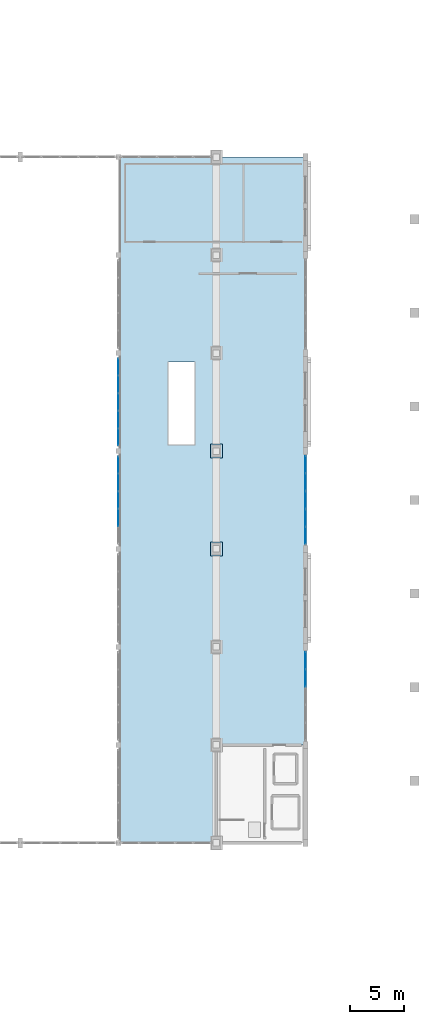
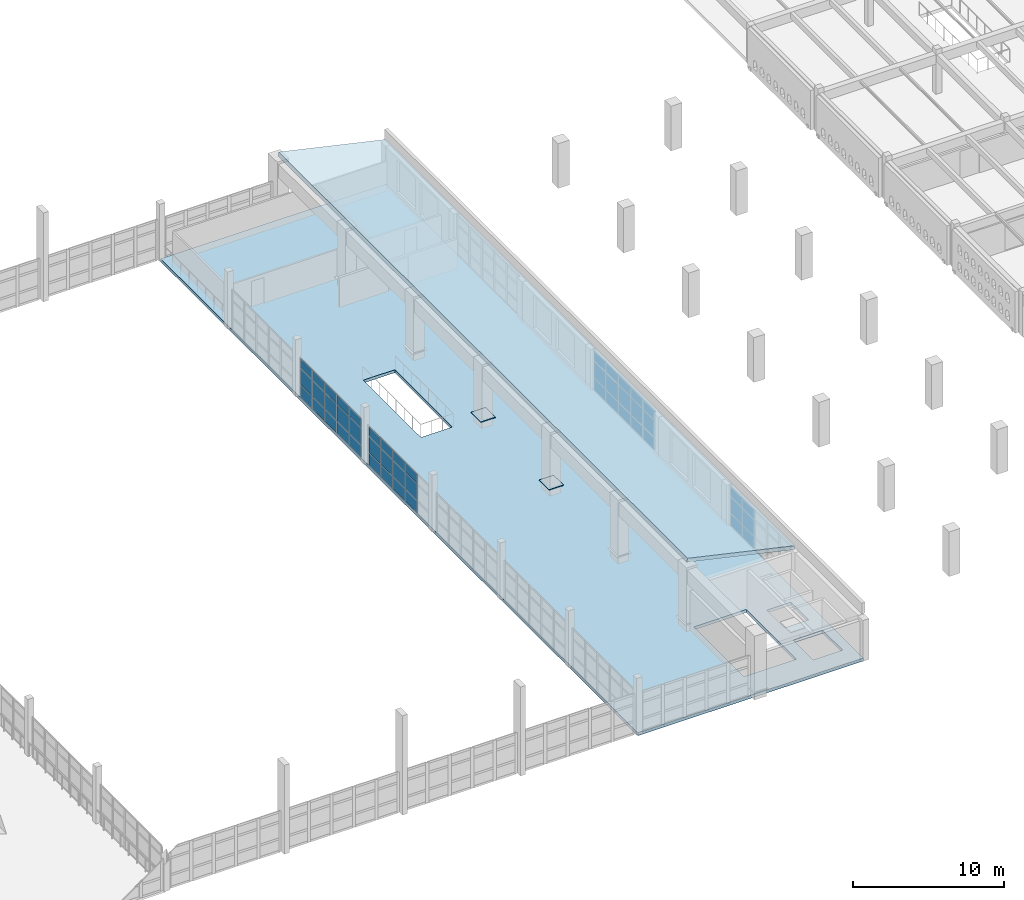
# One storey, part 59 of 80: 50 plates, 2 slabs, 4 elements without a shape of their own.
"""IFC4 building model written with IfcOpenShell, lengths in metres."""

from ifc_helpers import new_model, si_unit, direction, frame, origin, origin_2d, place, context, subcontext, project, spatial, polyline, rectangle, outline, extrude, material, layer, layer_set, type_object, element, aggregate, save


model = new_model("IFC4")

# Units and contexts
model_context = context("Model", 3, precision=1e-05, world=origin(), true_north=direction((0.0, 1.0)))
body_context = subcontext(model_context, "Body", "Model", "MODEL_VIEW")
ifc_project = project(units=[si_unit("LENGTHUNIT", "METRE"), si_unit("AREAUNIT", "SQUARE_METRE"), si_unit("VOLUMEUNIT", "CUBIC_METRE"), si_unit("PLANEANGLEUNIT", "RADIAN"), si_unit("MASSUNIT", "GRAM", prefix="KILO")], contexts=[model_context])

# Site, building, storey
site_placement = place(None, origin())
site = spatial("IfcSite", under=ifc_project, at=site_placement, CompositionType="ELEMENT")
building_placement = place(site_placement, origin())
building = spatial("IfcBuilding", under=site, at=building_placement, Name="Ornek Quay Market", CompositionType="ELEMENT")
storey_placement = place(building_placement, frame((0.0, 0.0, 8.39990234375)))
storey = spatial("IfcBuildingStorey", under=building, at=storey_placement, Name="L02", CompositionType="ELEMENT", Elevation=8.39990234375)

# Plates
ifc_material_1 = material(Name="Steel S355", Category="steel")
ifc_layer_1 = layer(ifc_material_1, 1.300048828125, Name="Steel S355", Category="steel")
ifc_layer_set_1 = layer_set([ifc_layer_1], Name="Steel S355")
plate_type_1 = type_object("IfcPlateType", Name="PL-ARCH-SHOE-1100x1300x50", PredefinedType="SHEET", material=ifc_layer_set_1)
for number, where, z_axis, x_axis, name in (
    (1, (117.0, 56.0, 0.60009765625), (0.0, 0.0, 1.0), (1.0, 0.0, 0.0), "Arch bearing plate Grid G-E"),
    (2, (117.0, 65.0, 0.60009765625), (0.0, 0.0, 1.0), (1.0, 0.0, 0.0), "Arch bearing plate Grid H-E"),
):
    element("IfcPlate", number, at=place(storey_placement, frame(where, z_axis=z_axis, x_axis=x_axis)), inside=storey, type_object=plate_type_1, Name=name, PredefinedType="SHEET", context=body_context, shape_type="SweptSolid", body=[
        extrude(rectangle(XDim=1.10009765625, YDim=1.300048828125, at=origin_2d()), origin(), (0.0, 0.0, 1.0), 0.050048828125),
    ])

# Curtain wall, plates
ifc_material_2 = material(Name="Anodised bronze aluminium and triple low-e glass", Category="aluminium")
ifc_layer_2 = layer(ifc_material_2, 0.139892578125, Name="Anodised bronze aluminium and triple low-e glass", Category="aluminium")
ifc_layer_set_2 = layer_set([ifc_layer_2], Name="Anodised bronze aluminium and triple low-e glass")
curtain_wall_type_1 = type_object("IfcCurtainWallType", Name="CW-GALLERY-INT", PredefinedType="USERDEFINED", material=ifc_layer_set_2)
curtain_wall_1_placement = place(storey_placement, origin())
curtain_wall_1 = element("IfcCurtainWall", 3, at=curtain_wall_1_placement, inside=storey, type_object=curtain_wall_type_1, Name="Curtain wall CW-118", ObjectType="CURTAIN WALL", PredefinedType="USERDEFINED")
ifc_material_3 = material(Name="Toughened laminated acoustic glass", Category="glass")
ifc_layer_3 = layer(ifc_material_3, 0.01611328125, Name="Toughened laminated acoustic glass", Category="glass")
ifc_layer_set_3 = layer_set([ifc_layer_3], Name="Toughened laminated acoustic glass")
plate_type_2 = type_object("IfcPlateType", Name="PL-CW-INT-16", PredefinedType="CURTAIN_PANEL", material=ifc_layer_set_3)
plate_1_placement = place(storey_placement, frame((108.0, 58.8798828125, 0.06005859375), z_axis=(0.0, 0.0, 1.0), x_axis=(0.0, 1.0, 0.0)))
plate_1 = element("IfcPlate", 4, at=plate_1_placement, type_object=plate_type_2, Name="CW-118 panel 2.1", PredefinedType="CURTAIN_PANEL", context=body_context, shape_type="SweptSolid", body=[
    extrude(rectangle(XDim=1.56005859375, YDim=0.01611328125, at=origin_2d()), origin(), (0.0, 0.0, 1.0), 0.9599609375),
])
plate_2_placement = place(storey_placement, frame((108.0, 58.8798828125, 1.080078125), z_axis=(0.0, 0.0, 1.0), x_axis=(0.0, 1.0, 0.0)))
plate_2 = element("IfcPlate", 5, at=plate_2_placement, type_object=plate_type_2, Name="CW-118 panel 2.2", PredefinedType="CURTAIN_PANEL", context=body_context, shape_type="SweptSolid", body=[
    extrude(rectangle(XDim=1.56005859375, YDim=0.01611328125, at=origin_2d()), origin(), (0.0, 0.0, 1.0), 1.2900390625),
])
plate_3_placement = place(storey_placement, frame((108.0, 58.8798828125, 2.43017578125), z_axis=(0.0, 0.0, 1.0), x_axis=(0.0, 1.0, 0.0)))
plate_3 = element("IfcPlate", 6, at=plate_3_placement, type_object=plate_type_2, Name="CW-118 panel 2.3", PredefinedType="CURTAIN_PANEL", context=body_context, shape_type="SweptSolid", body=[
    extrude(rectangle(XDim=1.56005859375, YDim=0.01611328125, at=origin_2d()), origin(), (0.0, 0.0, 1.0), 0.760009765625),
])
plate_4_placement = place(storey_placement, frame((108.0, 60.5, 0.06005859375), z_axis=(0.0, 0.0, 1.0), x_axis=(0.0, 1.0, 0.0)))
plate_4 = element("IfcPlate", 7, at=plate_4_placement, type_object=plate_type_2, Name="CW-118 panel 3.1", PredefinedType="CURTAIN_PANEL", context=body_context, shape_type="SweptSolid", body=[
    extrude(rectangle(XDim=1.56005859375, YDim=0.01611328125, at=origin_2d()), origin(), (0.0, 0.0, 1.0), 0.9599609375),
])
plate_5_placement = place(storey_placement, frame((108.0, 60.5, 1.080078125), z_axis=(0.0, 0.0, 1.0), x_axis=(0.0, 1.0, 0.0)))
plate_5 = element("IfcPlate", 8, at=plate_5_placement, type_object=plate_type_2, Name="CW-118 panel 3.2", PredefinedType="CURTAIN_PANEL", context=body_context, shape_type="SweptSolid", body=[
    extrude(rectangle(XDim=1.56005859375, YDim=0.01611328125, at=origin_2d()), origin(), (0.0, 0.0, 1.0), 1.2900390625),
])
plate_6_placement = place(storey_placement, frame((108.0, 60.5, 2.43017578125), z_axis=(0.0, 0.0, 1.0), x_axis=(0.0, 1.0, 0.0)))
plate_6 = element("IfcPlate", 9, at=plate_6_placement, type_object=plate_type_2, Name="CW-118 panel 3.3", PredefinedType="CURTAIN_PANEL", context=body_context, shape_type="SweptSolid", body=[
    extrude(rectangle(XDim=1.56005859375, YDim=0.01611328125, at=origin_2d()), origin(), (0.0, 0.0, 1.0), 0.760009765625),
])
plate_7_placement = place(storey_placement, frame((108.0, 62.1201171875, 0.06005859375), z_axis=(0.0, 0.0, 1.0), x_axis=(0.0, 1.0, 0.0)))
plate_7 = element("IfcPlate", 10, at=plate_7_placement, type_object=plate_type_2, Name="CW-118 panel 4.1", PredefinedType="CURTAIN_PANEL", context=body_context, shape_type="SweptSolid", body=[
    extrude(rectangle(XDim=1.56005859375, YDim=0.01611328125, at=origin_2d()), origin(), (0.0, 0.0, 1.0), 0.9599609375),
])
plate_8_placement = place(storey_placement, frame((108.0, 62.1201171875, 1.080078125), z_axis=(0.0, 0.0, 1.0), x_axis=(0.0, 1.0, 0.0)))
plate_8 = element("IfcPlate", 11, at=plate_8_placement, type_object=plate_type_2, Name="CW-118 panel 4.2", PredefinedType="CURTAIN_PANEL", context=body_context, shape_type="SweptSolid", body=[
    extrude(rectangle(XDim=1.56005859375, YDim=0.01611328125, at=origin_2d()), origin(), (0.0, 0.0, 1.0), 1.2900390625),
])
plate_9_placement = place(storey_placement, frame((108.0, 62.1201171875, 2.43017578125), z_axis=(0.0, 0.0, 1.0), x_axis=(0.0, 1.0, 0.0)))
plate_9 = element("IfcPlate", 12, at=plate_9_placement, type_object=plate_type_2, Name="CW-118 panel 4.3", PredefinedType="CURTAIN_PANEL", context=body_context, shape_type="SweptSolid", body=[
    extrude(rectangle(XDim=1.56005859375, YDim=0.01611328125, at=origin_2d()), origin(), (0.0, 0.0, 1.0), 0.760009765625),
])
plate_10_placement = place(storey_placement, frame((108.0, 63.72509765625, 0.06005859375), z_axis=(0.0, 0.0, 1.0), x_axis=(0.0, 1.0, 0.0)))
plate_10 = element("IfcPlate", 13, at=plate_10_placement, type_object=plate_type_2, Name="CW-118 panel 5.1", PredefinedType="CURTAIN_PANEL", context=body_context, shape_type="SweptSolid", body=[
    extrude(rectangle(XDim=1.530029296875, YDim=0.01611328125, at=origin_2d()), origin(), (0.0, 0.0, 1.0), 0.9599609375),
])
plate_11_placement = place(storey_placement, frame((108.0, 63.72509765625, 1.080078125), z_axis=(0.0, 0.0, 1.0), x_axis=(0.0, 1.0, 0.0)))
plate_11 = element("IfcPlate", 14, at=plate_11_placement, type_object=plate_type_2, Name="CW-118 panel 5.2", PredefinedType="CURTAIN_PANEL", context=body_context, shape_type="SweptSolid", body=[
    extrude(rectangle(XDim=1.530029296875, YDim=0.01611328125, at=origin_2d()), origin(), (0.0, 0.0, 1.0), 1.2900390625),
])
plate_12_placement = place(storey_placement, frame((108.0, 63.72509765625, 2.43017578125), z_axis=(0.0, 0.0, 1.0), x_axis=(0.0, 1.0, 0.0)))
plate_12 = element("IfcPlate", 15, at=plate_12_placement, type_object=plate_type_2, Name="CW-118 panel 5.3", PredefinedType="CURTAIN_PANEL", context=body_context, shape_type="SweptSolid", body=[
    extrude(rectangle(XDim=1.530029296875, YDim=0.01611328125, at=origin_2d()), origin(), (0.0, 0.0, 1.0), 0.760009765625),
])
aggregate(curtain_wall_1, [plate_1, plate_2, plate_3, plate_4, plate_5, plate_6, plate_7, plate_8, plate_9, plate_10, plate_11, plate_12])

curtain_wall_2_placement = place(storey_placement, origin())
curtain_wall_2 = element("IfcCurtainWall", 16, at=curtain_wall_2_placement, inside=storey, type_object=curtain_wall_type_1, Name="Curtain wall CW-119", ObjectType="CURTAIN WALL", PredefinedType="USERDEFINED")
plate_13_placement = place(storey_placement, frame((108.0, 66.27490234375, 0.06005859375), z_axis=(0.0, 0.0, 1.0), x_axis=(0.0, 1.0, 0.0)))
plate_13 = element("IfcPlate", 17, at=plate_13_placement, type_object=plate_type_2, Name="CW-119 panel 1.1", PredefinedType="CURTAIN_PANEL", context=body_context, shape_type="SweptSolid", body=[
    extrude(rectangle(XDim=1.530029296875, YDim=0.01611328125, at=origin_2d()), origin(), (0.0, 0.0, 1.0), 0.9599609375),
])
plate_14_placement = place(storey_placement, frame((108.0, 66.27490234375, 1.080078125), z_axis=(0.0, 0.0, 1.0), x_axis=(0.0, 1.0, 0.0)))
plate_14 = element("IfcPlate", 18, at=plate_14_placement, type_object=plate_type_2, Name="CW-119 panel 1.2", PredefinedType="CURTAIN_PANEL", context=body_context, shape_type="SweptSolid", body=[
    extrude(rectangle(XDim=1.530029296875, YDim=0.01611328125, at=origin_2d()), origin(), (0.0, 0.0, 1.0), 1.2900390625),
])
plate_15_placement = place(storey_placement, frame((108.0, 66.27490234375, 2.43017578125), z_axis=(0.0, 0.0, 1.0), x_axis=(0.0, 1.0, 0.0)))
plate_15 = element("IfcPlate", 19, at=plate_15_placement, type_object=plate_type_2, Name="CW-119 panel 1.3", PredefinedType="CURTAIN_PANEL", context=body_context, shape_type="SweptSolid", body=[
    extrude(rectangle(XDim=1.530029296875, YDim=0.01611328125, at=origin_2d()), origin(), (0.0, 0.0, 1.0), 0.760009765625),
])
plate_16_placement = place(storey_placement, frame((108.0, 67.8798828125, 0.06005859375), z_axis=(0.0, 0.0, 1.0), x_axis=(0.0, 1.0, 0.0)))
plate_16 = element("IfcPlate", 20, at=plate_16_placement, type_object=plate_type_2, Name="CW-119 panel 2.1", PredefinedType="CURTAIN_PANEL", context=body_context, shape_type="SweptSolid", body=[
    extrude(rectangle(XDim=1.56005859375, YDim=0.01611328125, at=origin_2d()), origin(), (0.0, 0.0, 1.0), 0.9599609375),
])
plate_17_placement = place(storey_placement, frame((108.0, 67.8798828125, 1.080078125), z_axis=(0.0, 0.0, 1.0), x_axis=(0.0, 1.0, 0.0)))
plate_17 = element("IfcPlate", 21, at=plate_17_placement, type_object=plate_type_2, Name="CW-119 panel 2.2", PredefinedType="CURTAIN_PANEL", context=body_context, shape_type="SweptSolid", body=[
    extrude(rectangle(XDim=1.56005859375, YDim=0.01611328125, at=origin_2d()), origin(), (0.0, 0.0, 1.0), 1.2900390625),
])
plate_18_placement = place(storey_placement, frame((108.0, 67.8798828125, 2.43017578125), z_axis=(0.0, 0.0, 1.0), x_axis=(0.0, 1.0, 0.0)))
plate_18 = element("IfcPlate", 22, at=plate_18_placement, type_object=plate_type_2, Name="CW-119 panel 2.3", PredefinedType="CURTAIN_PANEL", context=body_context, shape_type="SweptSolid", body=[
    extrude(rectangle(XDim=1.56005859375, YDim=0.01611328125, at=origin_2d()), origin(), (0.0, 0.0, 1.0), 0.760009765625),
])
plate_19_placement = place(storey_placement, frame((108.0, 69.5, 0.06005859375), z_axis=(0.0, 0.0, 1.0), x_axis=(0.0, 1.0, 0.0)))
plate_19 = element("IfcPlate", 23, at=plate_19_placement, type_object=plate_type_2, Name="CW-119 panel 3.1", PredefinedType="CURTAIN_PANEL", context=body_context, shape_type="SweptSolid", body=[
    extrude(rectangle(XDim=1.56005859375, YDim=0.01611328125, at=origin_2d()), origin(), (0.0, 0.0, 1.0), 0.9599609375),
])
plate_20_placement = place(storey_placement, frame((108.0, 69.5, 1.080078125), z_axis=(0.0, 0.0, 1.0), x_axis=(0.0, 1.0, 0.0)))
plate_20 = element("IfcPlate", 24, at=plate_20_placement, type_object=plate_type_2, Name="CW-119 panel 3.2", PredefinedType="CURTAIN_PANEL", context=body_context, shape_type="SweptSolid", body=[
    extrude(rectangle(XDim=1.56005859375, YDim=0.01611328125, at=origin_2d()), origin(), (0.0, 0.0, 1.0), 1.2900390625),
])
plate_21_placement = place(storey_placement, frame((108.0, 69.5, 2.43017578125), z_axis=(0.0, 0.0, 1.0), x_axis=(0.0, 1.0, 0.0)))
plate_21 = element("IfcPlate", 25, at=plate_21_placement, type_object=plate_type_2, Name="CW-119 panel 3.3", PredefinedType="CURTAIN_PANEL", context=body_context, shape_type="SweptSolid", body=[
    extrude(rectangle(XDim=1.56005859375, YDim=0.01611328125, at=origin_2d()), origin(), (0.0, 0.0, 1.0), 0.760009765625),
])
plate_22_placement = place(storey_placement, frame((108.0, 71.1201171875, 0.06005859375), z_axis=(0.0, 0.0, 1.0), x_axis=(0.0, 1.0, 0.0)))
plate_22 = element("IfcPlate", 26, at=plate_22_placement, type_object=plate_type_2, Name="CW-119 panel 4.1", PredefinedType="CURTAIN_PANEL", context=body_context, shape_type="SweptSolid", body=[
    extrude(rectangle(XDim=1.56005859375, YDim=0.01611328125, at=origin_2d()), origin(), (0.0, 0.0, 1.0), 0.9599609375),
])
plate_23_placement = place(storey_placement, frame((108.0, 71.1201171875, 1.080078125), z_axis=(0.0, 0.0, 1.0), x_axis=(0.0, 1.0, 0.0)))
plate_23 = element("IfcPlate", 27, at=plate_23_placement, type_object=plate_type_2, Name="CW-119 panel 4.2", PredefinedType="CURTAIN_PANEL", context=body_context, shape_type="SweptSolid", body=[
    extrude(rectangle(XDim=1.56005859375, YDim=0.01611328125, at=origin_2d()), origin(), (0.0, 0.0, 1.0), 1.2900390625),
])
plate_24_placement = place(storey_placement, frame((108.0, 71.1201171875, 2.43017578125), z_axis=(0.0, 0.0, 1.0), x_axis=(0.0, 1.0, 0.0)))
plate_24 = element("IfcPlate", 28, at=plate_24_placement, type_object=plate_type_2, Name="CW-119 panel 4.3", PredefinedType="CURTAIN_PANEL", context=body_context, shape_type="SweptSolid", body=[
    extrude(rectangle(XDim=1.56005859375, YDim=0.01611328125, at=origin_2d()), origin(), (0.0, 0.0, 1.0), 0.760009765625),
])
plate_25_placement = place(storey_placement, frame((108.0, 72.72509765625, 0.06005859375), z_axis=(0.0, 0.0, 1.0), x_axis=(0.0, 1.0, 0.0)))
plate_25 = element("IfcPlate", 29, at=plate_25_placement, type_object=plate_type_2, Name="CW-119 panel 5.1", PredefinedType="CURTAIN_PANEL", context=body_context, shape_type="SweptSolid", body=[
    extrude(rectangle(XDim=1.530029296875, YDim=0.01611328125, at=origin_2d()), origin(), (0.0, 0.0, 1.0), 0.9599609375),
])
plate_26_placement = place(storey_placement, frame((108.0, 72.72509765625, 1.080078125), z_axis=(0.0, 0.0, 1.0), x_axis=(0.0, 1.0, 0.0)))
plate_26 = element("IfcPlate", 30, at=plate_26_placement, type_object=plate_type_2, Name="CW-119 panel 5.2", PredefinedType="CURTAIN_PANEL", context=body_context, shape_type="SweptSolid", body=[
    extrude(rectangle(XDim=1.530029296875, YDim=0.01611328125, at=origin_2d()), origin(), (0.0, 0.0, 1.0), 1.2900390625),
])
plate_27_placement = place(storey_placement, frame((108.0, 72.72509765625, 2.43017578125), z_axis=(0.0, 0.0, 1.0), x_axis=(0.0, 1.0, 0.0)))
plate_27 = element("IfcPlate", 31, at=plate_27_placement, type_object=plate_type_2, Name="CW-119 panel 5.3", PredefinedType="CURTAIN_PANEL", context=body_context, shape_type="SweptSolid", body=[
    extrude(rectangle(XDim=1.530029296875, YDim=0.01611328125, at=origin_2d()), origin(), (0.0, 0.0, 1.0), 0.760009765625),
])
aggregate(curtain_wall_2, [plate_13, plate_14, plate_15, plate_16, plate_17, plate_18, plate_19, plate_20, plate_21, plate_22, plate_23, plate_24, plate_25, plate_26, plate_27])

ifc_layer_4 = layer(ifc_material_2, 0.239990234375, Name="Anodised bronze aluminium and triple low-e glass", Category="aluminium")
ifc_layer_set_4 = layer_set([ifc_layer_4], Name="Anodised bronze aluminium and triple low-e glass")
curtain_wall_type_2 = type_object("IfcCurtainWallType", Name="CW-GAB-MOD1800", PredefinedType="USERDEFINED", material=ifc_layer_set_4)
curtain_wall_3_placement = place(storey_placement, origin())
curtain_wall_3 = element("IfcCurtainWall", 32, at=curtain_wall_3_placement, inside=storey, type_object=curtain_wall_type_2, Name="Curtain wall CW-060", ObjectType="CURTAIN WALL", PredefinedType="USERDEFINED")
ifc_material_4 = material(Name="Triple insulated low-e glass", Category="glass")
ifc_layer_5 = layer(ifc_material_4, 0.0419921875, Name="Triple insulated low-e glass", Category="glass")
ifc_layer_set_5 = layer_set([ifc_layer_5], Name="Triple insulated low-e glass")
plate_type_3 = type_object("IfcPlateType", Name="PL-CW-TRIPLE-42", PredefinedType="CURTAIN_PANEL", material=ifc_layer_set_5)
plate_28_placement = place(storey_placement, frame((125.199951171875, 44.139892578125, 0.06982421875), z_axis=(0.0, 0.0, 1.0), x_axis=(0.0, 1.0, 0.0)))
plate_28 = element("IfcPlate", 33, at=plate_28_placement, type_object=plate_type_3, Name="CW-060 panel 4.1", PredefinedType="CURTAIN_PANEL", context=body_context, shape_type="SweptSolid", body=[
    extrude(rectangle(XDim=1.570068359375, YDim=0.0419921875, at=origin_2d()), origin(), (0.0, 0.0, 1.0), 0.945068359375),
])
plate_29_placement = place(storey_placement, frame((125.199951171875, 44.139892578125, 1.0849609375), z_axis=(0.0, 0.0, 1.0), x_axis=(0.0, 1.0, 0.0)))
plate_29 = element("IfcPlate", 34, at=plate_29_placement, type_object=plate_type_3, Name="CW-060 panel 4.2", PredefinedType="CURTAIN_PANEL", context=body_context, shape_type="SweptSolid", body=[
    extrude(rectangle(XDim=1.570068359375, YDim=0.0419921875, at=origin_2d()), origin(), (0.0, 0.0, 1.0), 1.320068359375),
])
plate_30_placement = place(storey_placement, frame((125.199951171875, 44.139892578125, 2.47509765625), z_axis=(0.0, 0.0, 1.0), x_axis=(0.0, 1.0, 0.0)))
plate_30 = element("IfcPlate", 35, at=plate_30_placement, type_object=plate_type_3, Name="CW-060 panel 4.3", PredefinedType="CURTAIN_PANEL", context=body_context, shape_type="SweptSolid", body=[
    extrude(rectangle(XDim=1.570068359375, YDim=0.0419921875, at=origin_2d()), origin(), (0.0, 0.0, 1.0), 0.7451171875),
])
plate_31_placement = place(storey_placement, frame((125.199951171875, 45.762451171875, 0.06982421875), z_axis=(0.0, 0.0, 1.0), x_axis=(0.0, 1.0, 0.0)))
plate_31 = element("IfcPlate", 36, at=plate_31_placement, type_object=plate_type_3, Name="CW-060 panel 5.1", PredefinedType="CURTAIN_PANEL", context=body_context, shape_type="SweptSolid", body=[
    extrude(rectangle(XDim=1.534912109375, YDim=0.0419921875, at=origin_2d()), origin(), (0.0, 0.0, 1.0), 0.945068359375),
])
plate_32_placement = place(storey_placement, frame((125.199951171875, 45.762451171875, 1.0849609375), z_axis=(0.0, 0.0, 1.0), x_axis=(0.0, 1.0, 0.0)))
plate_32 = element("IfcPlate", 37, at=plate_32_placement, type_object=plate_type_3, Name="CW-060 panel 5.2", PredefinedType="CURTAIN_PANEL", context=body_context, shape_type="SweptSolid", body=[
    extrude(rectangle(XDim=1.534912109375, YDim=0.0419921875, at=origin_2d()), origin(), (0.0, 0.0, 1.0), 1.320068359375),
])
plate_33_placement = place(storey_placement, frame((125.199951171875, 45.762451171875, 2.47509765625), z_axis=(0.0, 0.0, 1.0), x_axis=(0.0, 1.0, 0.0)))
plate_33 = element("IfcPlate", 38, at=plate_33_placement, type_object=plate_type_3, Name="CW-060 panel 5.3", PredefinedType="CURTAIN_PANEL", context=body_context, shape_type="SweptSolid", body=[
    extrude(rectangle(XDim=1.534912109375, YDim=0.0419921875, at=origin_2d()), origin(), (0.0, 0.0, 1.0), 0.7451171875),
])
aggregate(curtain_wall_3, [plate_28, plate_29, plate_30, plate_31, plate_32, plate_33])

curtain_wall_4_placement = place(storey_placement, origin())
curtain_wall_4 = element("IfcCurtainWall", 39, at=curtain_wall_4_placement, inside=storey, type_object=curtain_wall_type_2, Name="Curtain wall CW-061", ObjectType="CURTAIN WALL", PredefinedType="USERDEFINED")
plate_34_placement = place(storey_placement, frame((125.199951171875, 57.237548828125, 0.06982421875), z_axis=(0.0, 0.0, 1.0), x_axis=(0.0, 1.0, 0.0)))
plate_34 = element("IfcPlate", 40, at=plate_34_placement, type_object=plate_type_3, Name="CW-061 panel 1.1", PredefinedType="CURTAIN_PANEL", context=body_context, shape_type="SweptSolid", body=[
    extrude(rectangle(XDim=1.534912109375, YDim=0.0419921875, at=origin_2d()), origin(), (0.0, 0.0, 1.0), 0.945068359375),
])
plate_35_placement = place(storey_placement, frame((125.199951171875, 57.237548828125, 1.0849609375), z_axis=(0.0, 0.0, 1.0), x_axis=(0.0, 1.0, 0.0)))
plate_35 = element("IfcPlate", 41, at=plate_35_placement, type_object=plate_type_3, Name="CW-061 panel 1.2", PredefinedType="CURTAIN_PANEL", context=body_context, shape_type="SweptSolid", body=[
    extrude(rectangle(XDim=1.534912109375, YDim=0.0419921875, at=origin_2d()), origin(), (0.0, 0.0, 1.0), 1.320068359375),
])
plate_36_placement = place(storey_placement, frame((125.199951171875, 57.237548828125, 2.47509765625), z_axis=(0.0, 0.0, 1.0), x_axis=(0.0, 1.0, 0.0)))
plate_36 = element("IfcPlate", 42, at=plate_36_placement, type_object=plate_type_3, Name="CW-061 panel 1.3", PredefinedType="CURTAIN_PANEL", context=body_context, shape_type="SweptSolid", body=[
    extrude(rectangle(XDim=1.534912109375, YDim=0.0419921875, at=origin_2d()), origin(), (0.0, 0.0, 1.0), 0.7451171875),
])
plate_37_placement = place(storey_placement, frame((125.199951171875, 58.860107421875, 0.06982421875), z_axis=(0.0, 0.0, 1.0), x_axis=(0.0, 1.0, 0.0)))
plate_37 = element("IfcPlate", 43, at=plate_37_placement, type_object=plate_type_3, Name="CW-061 panel 2.1", PredefinedType="CURTAIN_PANEL", context=body_context, shape_type="SweptSolid", body=[
    extrude(rectangle(XDim=1.570068359375, YDim=0.0419921875, at=origin_2d()), origin(), (0.0, 0.0, 1.0), 0.945068359375),
])
plate_38_placement = place(storey_placement, frame((125.199951171875, 58.860107421875, 1.0849609375), z_axis=(0.0, 0.0, 1.0), x_axis=(0.0, 1.0, 0.0)))
plate_38 = element("IfcPlate", 44, at=plate_38_placement, type_object=plate_type_3, Name="CW-061 panel 2.2", PredefinedType="CURTAIN_PANEL", context=body_context, shape_type="SweptSolid", body=[
    extrude(rectangle(XDim=1.570068359375, YDim=0.0419921875, at=origin_2d()), origin(), (0.0, 0.0, 1.0), 1.320068359375),
])
plate_39_placement = place(storey_placement, frame((125.199951171875, 58.860107421875, 2.47509765625), z_axis=(0.0, 0.0, 1.0), x_axis=(0.0, 1.0, 0.0)))
plate_39 = element("IfcPlate", 45, at=plate_39_placement, type_object=plate_type_3, Name="CW-061 panel 2.3", PredefinedType="CURTAIN_PANEL", context=body_context, shape_type="SweptSolid", body=[
    extrude(rectangle(XDim=1.570068359375, YDim=0.0419921875, at=origin_2d()), origin(), (0.0, 0.0, 1.0), 0.7451171875),
])
plate_40_placement = place(storey_placement, frame((125.199951171875, 60.5, 0.06982421875), z_axis=(0.0, 0.0, 1.0), x_axis=(0.0, 1.0, 0.0)))
plate_40 = element("IfcPlate", 46, at=plate_40_placement, type_object=plate_type_3, Name="CW-061 panel 3.1", PredefinedType="CURTAIN_PANEL", context=body_context, shape_type="SweptSolid", body=[
    extrude(rectangle(XDim=1.570068359375, YDim=0.0419921875, at=origin_2d()), origin(), (0.0, 0.0, 1.0), 0.945068359375),
])
plate_41_placement = place(storey_placement, frame((125.199951171875, 60.5, 1.0849609375), z_axis=(0.0, 0.0, 1.0), x_axis=(0.0, 1.0, 0.0)))
plate_41 = element("IfcPlate", 47, at=plate_41_placement, type_object=plate_type_3, Name="CW-061 panel 3.2", PredefinedType="CURTAIN_PANEL", context=body_context, shape_type="SweptSolid", body=[
    extrude(rectangle(XDim=1.570068359375, YDim=0.0419921875, at=origin_2d()), origin(), (0.0, 0.0, 1.0), 1.320068359375),
])
plate_42_placement = place(storey_placement, frame((125.199951171875, 60.5, 2.47509765625), z_axis=(0.0, 0.0, 1.0), x_axis=(0.0, 1.0, 0.0)))
plate_42 = element("IfcPlate", 48, at=plate_42_placement, type_object=plate_type_3, Name="CW-061 panel 3.3", PredefinedType="CURTAIN_PANEL", context=body_context, shape_type="SweptSolid", body=[
    extrude(rectangle(XDim=1.570068359375, YDim=0.0419921875, at=origin_2d()), origin(), (0.0, 0.0, 1.0), 0.7451171875),
])
plate_43_placement = place(storey_placement, frame((125.199951171875, 62.139892578125, 0.06982421875), z_axis=(0.0, 0.0, 1.0), x_axis=(0.0, 1.0, 0.0)))
plate_43 = element("IfcPlate", 49, at=plate_43_placement, type_object=plate_type_3, Name="CW-061 panel 4.1", PredefinedType="CURTAIN_PANEL", context=body_context, shape_type="SweptSolid", body=[
    extrude(rectangle(XDim=1.570068359375, YDim=0.0419921875, at=origin_2d()), origin(), (0.0, 0.0, 1.0), 0.945068359375),
])
plate_44_placement = place(storey_placement, frame((125.199951171875, 62.139892578125, 1.0849609375), z_axis=(0.0, 0.0, 1.0), x_axis=(0.0, 1.0, 0.0)))
plate_44 = element("IfcPlate", 50, at=plate_44_placement, type_object=plate_type_3, Name="CW-061 panel 4.2", PredefinedType="CURTAIN_PANEL", context=body_context, shape_type="SweptSolid", body=[
    extrude(rectangle(XDim=1.570068359375, YDim=0.0419921875, at=origin_2d()), origin(), (0.0, 0.0, 1.0), 1.320068359375),
])
plate_45_placement = place(storey_placement, frame((125.199951171875, 62.139892578125, 2.47509765625), z_axis=(0.0, 0.0, 1.0), x_axis=(0.0, 1.0, 0.0)))
plate_45 = element("IfcPlate", 51, at=plate_45_placement, type_object=plate_type_3, Name="CW-061 panel 4.3", PredefinedType="CURTAIN_PANEL", context=body_context, shape_type="SweptSolid", body=[
    extrude(rectangle(XDim=1.570068359375, YDim=0.0419921875, at=origin_2d()), origin(), (0.0, 0.0, 1.0), 0.7451171875),
])
plate_46_placement = place(storey_placement, frame((125.199951171875, 63.762451171875, 0.06982421875), z_axis=(0.0, 0.0, 1.0), x_axis=(0.0, 1.0, 0.0)))
plate_46 = element("IfcPlate", 52, at=plate_46_placement, type_object=plate_type_3, Name="CW-061 panel 5.1", PredefinedType="CURTAIN_PANEL", context=body_context, shape_type="SweptSolid", body=[
    extrude(rectangle(XDim=1.534912109375, YDim=0.0419921875, at=origin_2d()), origin(), (0.0, 0.0, 1.0), 0.945068359375),
])
plate_47_placement = place(storey_placement, frame((125.199951171875, 63.762451171875, 1.0849609375), z_axis=(0.0, 0.0, 1.0), x_axis=(0.0, 1.0, 0.0)))
plate_47 = element("IfcPlate", 53, at=plate_47_placement, type_object=plate_type_3, Name="CW-061 panel 5.2", PredefinedType="CURTAIN_PANEL", context=body_context, shape_type="SweptSolid", body=[
    extrude(rectangle(XDim=1.534912109375, YDim=0.0419921875, at=origin_2d()), origin(), (0.0, 0.0, 1.0), 1.320068359375),
])
plate_48_placement = place(storey_placement, frame((125.199951171875, 63.762451171875, 2.47509765625), z_axis=(0.0, 0.0, 1.0), x_axis=(0.0, 1.0, 0.0)))
plate_48 = element("IfcPlate", 54, at=plate_48_placement, type_object=plate_type_3, Name="CW-061 panel 5.3", PredefinedType="CURTAIN_PANEL", context=body_context, shape_type="SweptSolid", body=[
    extrude(rectangle(XDim=1.534912109375, YDim=0.0419921875, at=origin_2d()), origin(), (0.0, 0.0, 1.0), 0.7451171875),
])
aggregate(curtain_wall_4, [plate_34, plate_35, plate_36, plate_37, plate_38, plate_39, plate_40, plate_41, plate_42, plate_43, plate_44, plate_45, plate_46, plate_47, plate_48])

# Slabs
ifc_material_5 = material(Name="Concrete C40/50", Category="concrete")
ifc_layer_6 = layer(ifc_material_5, 0.239990234375, Name="Concrete C40/50", Category="concrete")
ifc_layer_set_6 = layer_set([ifc_layer_6], Name="Concrete C40/50")
slab_type_1 = type_object("IfcSlabType", Name="SL-FLR-GAL2-240", PredefinedType="FLOOR", material=ifc_layer_set_6)
slab_1_placement = place(storey_placement, frame((0.0, 0.0, -0.239990234375)))
element("IfcSlab", 55, at=slab_1_placement, inside=storey, type_object=slab_type_1, Name="Slab S-054 (L02)", PredefinedType="FLOOR", context=body_context, shape_type="SweptSolid", body=[
    extrude(outline(polyline([(108.0, 29.0), (125.199951171875, 29.0), (125.199951171875, 92.0), (108.0, 92.0), (108.0, 29.0)]), holes=[polyline([(124.469970703125, 30.47998046875), (122.22998046875, 30.47998046875), (122.22998046875, 33.1201171875), (124.469970703125, 33.1201171875), (124.469970703125, 30.47998046875)]), polyline([(121.300048828125, 31.10009765625), (117.300048828125, 31.10009765625), (117.300048828125, 37.699951171875), (121.300048828125, 37.699951171875), (121.300048828125, 31.10009765625)]), polyline([(124.27001953125, 34.6298828125), (122.429931640625, 34.6298828125), (122.429931640625, 36.969970703125), (124.27001953125, 36.969970703125), (124.27001953125, 34.6298828125)]), polyline([(115.0, 65.60009765625), (112.60009765625, 65.60009765625), (112.60009765625, 73.199951171875), (115.0, 73.199951171875), (115.0, 65.60009765625)])]), origin(), (0.0, 0.0, 1.0), 0.239990234375),
])
ifc_material_6 = material(Name="Concrete C35/45", Category="concrete")
ifc_layer_7 = layer(ifc_material_6, 0.31005859375, Name="Concrete C35/45", Category="concrete")
ifc_layer_set_7 = layer_set([ifc_layer_7], Name="Concrete C35/45")
slab_type_2 = type_object("IfcSlabType", Name="SL-RF-WING-310", PredefinedType="ROOF", material=ifc_layer_set_7)
slab_2_placement = place(storey_placement, frame((117.0, 38.0, 5.4501953125), z_axis=(0.220090604958, 0.0, 0.975479433719), x_axis=(0.975479433719, 0.0, -0.220090604958)))
element("IfcSlab", 56, at=slab_2_placement, inside=storey, type_object=slab_type_2, Name="Sloped roof slab S-057 (L02)", PredefinedType="ROOF", context=body_context, shape_type="SweptSolid", body=[
    extrude(outline(polyline([(0.0, 0.0), (8.406072838061537, 0.0), (8.406072838061537, 54.0), (0.0, 54.0), (0.0, 0.0)])), origin(), (0.0, 0.0, -1.0), 0.31005859375),
])

save(model, "model.ifc")
